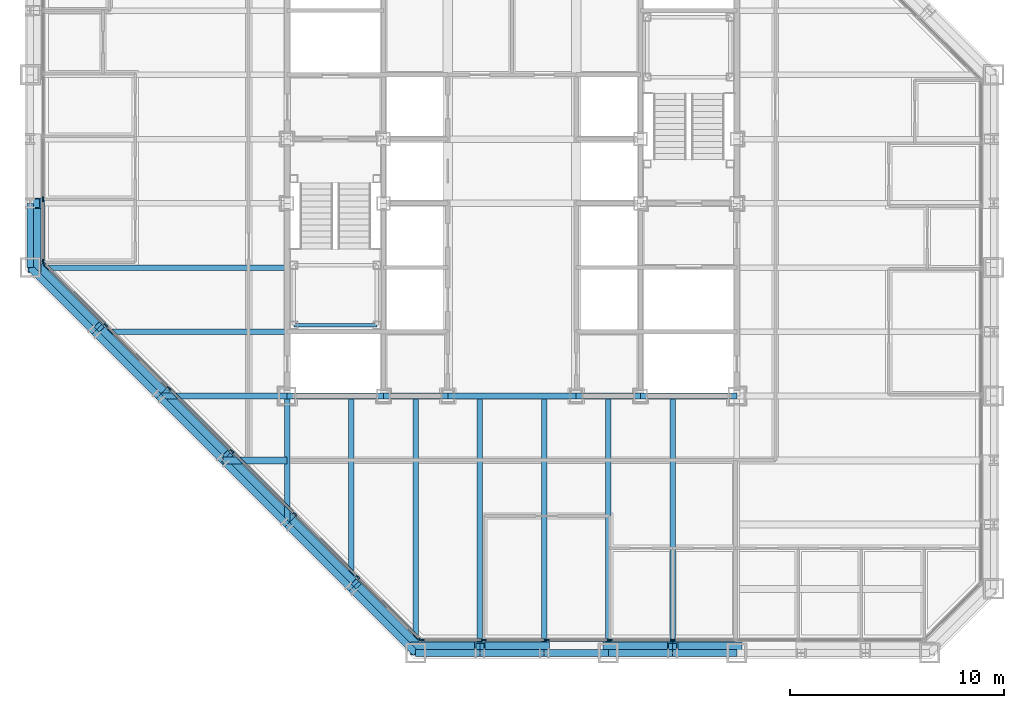
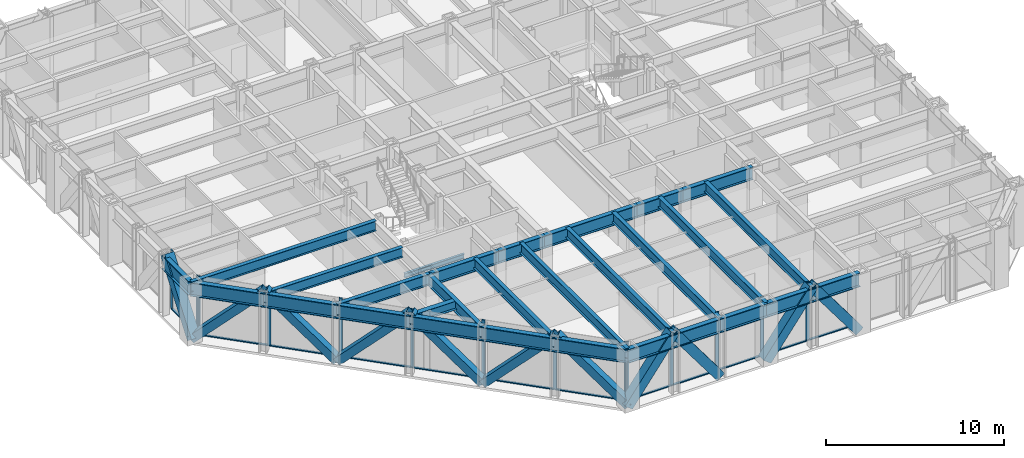
# One storey, part 4 of 16: 37 members, 29 beams, 3 elements without a shape of their own.
"""IFC4 building model written with IfcOpenShell, lengths in metres."""

from ifc_helpers import new_model, si_unit, direction, frame, origin, origin_2d, place, context, subcontext, project, spatial, rectangle, hollow_rectangle, i_section, extrude, material, layer, layer_set, material_profile, profile_set, type_object, element, aggregate, save


model = new_model("IFC4")

# Units and contexts
model_context = context("Model", 3, precision=1e-05, world=origin(), true_north=direction((0.0, 1.0)))
body_context = subcontext(model_context, "Body", "Model", "MODEL_VIEW")
ifc_project = project(units=[si_unit("LENGTHUNIT", "METRE"), si_unit("AREAUNIT", "SQUARE_METRE"), si_unit("VOLUMEUNIT", "CUBIC_METRE"), si_unit("PLANEANGLEUNIT", "RADIAN"), si_unit("MASSUNIT", "GRAM", prefix="KILO")], contexts=[model_context])

# Site, building, storey
site_placement = place(None, origin())
site = spatial("IfcSite", under=ifc_project, at=site_placement, CompositionType="ELEMENT")
building_placement = place(site_placement, origin())
building = spatial("IfcBuilding", under=site, at=building_placement, Name="Chuquiago Exchange Tower", CompositionType="ELEMENT")
storey_placement = place(building_placement, frame((0.0, 0.0, 153.0)))
storey = spatial("IfcBuildingStorey", under=building, at=storey_placement, Name="L33", CompositionType="ELEMENT", Elevation=153.0)

# Beams
ifc_material_1 = material(Name="Steel ASTM A992", Category="steel")
ifc_material_profile_1 = material_profile(ifc_material_1, i_section(OverallWidth=0.25390625, OverallDepth=0.683349609375, WebThickness=0.012451171875, FlangeThickness=0.018798828125, at=origin_2d()), Name="W27X94")
ifc_profile_set_1 = profile_set([ifc_material_profile_1], Name="Steel ASTM A992")
beam_type_1 = type_object("IfcBeamType", Name="B1 W27X94", PredefinedType="BEAM", material=ifc_profile_set_1)
beam_1_placement = place(storey_placement, frame((15.0, 12.0, 3.698486328125), z_axis=(0.0, -1.0, 0.0), x_axis=(1.0, 0.0, 0.0)))
element("IfcBeam", 1, at=beam_1_placement, inside=storey, type_object=beam_type_1, Name="FB-L34-infill-15_12-15_3-0", PredefinedType="BEAM", context=body_context, shape_type="SweptSolid", body=[
    extrude(i_section(OverallWidth=0.25390625, OverallDepth=0.683349609375, WebThickness=0.012451171875, FlangeThickness=0.018798828125, at=origin_2d()), origin(), (0.0, 0.0, 1.0), 9.0),
])
for number, where, z_axis, x_axis, name in (
    (2, (18.0, 12.0, 3.698486328125), (0.0, -1.0, 0.0), (1.0, 0.0, 0.0), "FB-L34-infill-18_12-18_-0-0"),
    (3, (21.0, 12.0, 3.698486328125), (0.0, -1.0, 0.0), (1.0, 0.0, 0.0), "FB-L34-infill-21_12-21_-0-0"),
    (4, (24.0, 12.0, 3.698486328125), (0.0, -1.0, 0.0), (1.0, 0.0, 0.0), "FB-L34-infill-24_12-24_-0-0"),
    (5, (27.0, 12.0, 3.698486328125), (0.0, -1.0, 0.0), (1.0, 0.0, 0.0), "FB-L34-infill-27_12-27_-0-0"),
    (6, (30.0, 12.0, 3.698486328125), (0.0, -1.0, 0.0), (1.0, 0.0, 0.0), "FB-L34-infill-30_12-30_-0-0"),
):
    element("IfcBeam", number, at=place(storey_placement, frame(where, z_axis=z_axis, x_axis=x_axis)), inside=storey, type_object=beam_type_1, Name=name, PredefinedType="BEAM", context=body_context, shape_type="SweptSolid", body=[
        extrude(i_section(OverallWidth=0.25390625, OverallDepth=0.683349609375, WebThickness=0.012451171875, FlangeThickness=0.018798828125, at=origin_2d()), origin(), (0.0, 0.0, 1.0), 12.0),
    ])
beam_2_placement = place(storey_placement, frame((12.0, 15.0, 3.698486328125), z_axis=(-1.0, 0.0, 0.0), x_axis=(0.0, -1.0, 0.0)))
element("IfcBeam", 7, at=beam_2_placement, inside=storey, type_object=beam_type_1, Name="FB-L34-infill-12_15-3_15-0", PredefinedType="BEAM", context=body_context, shape_type="SweptSolid", body=[
    extrude(i_section(OverallWidth=0.25390625, OverallDepth=0.683349609375, WebThickness=0.012451171875, FlangeThickness=0.018798828125, at=origin_2d()), origin(), (0.0, 0.0, 1.0), 9.0),
])
beam_3_placement = place(storey_placement, frame((12.0, 18.0, 3.698486328125), z_axis=(-1.0, 0.0, 0.0), x_axis=(0.0, -1.0, 0.0)))
element("IfcBeam", 8, at=beam_3_placement, inside=storey, type_object=beam_type_1, Name="FB-L34-infill-12_18--0_18-0", PredefinedType="BEAM", context=body_context, shape_type="SweptSolid", body=[
    extrude(i_section(OverallWidth=0.25390625, OverallDepth=0.683349609375, WebThickness=0.012451171875, FlangeThickness=0.018798828125, at=origin_2d()), origin(), (0.0, 0.0, 1.0), 12.0),
])
ifc_material_2 = material(Name="Steel ASTM A992", Category="steel")
ifc_material_profile_2 = material_profile(ifc_material_2, i_section(OverallWidth=0.3251953125, OverallDepth=0.612060546875, WebThickness=0.0126953125, FlangeThickness=0.01904296875, at=origin_2d()), Name="W24X104")
ifc_profile_set_2 = profile_set([ifc_material_profile_2], Name="Steel ASTM A992")
beam_type_2 = type_object("IfcBeamType", Name="B2 W24X104", PredefinedType="BEAM", material=ifc_profile_set_2)
beam_4_placement = place(storey_placement, frame((12.0, 9.0, 3.73388671875), z_axis=(-1.0, 0.0, 0.0), x_axis=(0.0, -1.0, 0.0)))
element("IfcBeam", 9, at=beam_4_placement, inside=storey, type_object=beam_type_2, Name="FB-L34-corner-12_9-9_9-0", PredefinedType="BEAM", context=body_context, shape_type="SweptSolid", body=[
    extrude(i_section(OverallWidth=0.3251953125, OverallDepth=0.612060546875, WebThickness=0.0126953125, FlangeThickness=0.01904296875, at=origin_2d()), origin(), (0.0, 0.0, 1.0), 3.0),
])
ifc_material_3 = material(Name="Steel ASTM A992", Category="steel")
ifc_material_profile_3 = material_profile(ifc_material_3, i_section(OverallWidth=0.2919921875, OverallDepth=0.8583984375, WebThickness=0.01708984375, FlangeThickness=0.031005859375, at=origin_2d()), Name="W33X169")
ifc_profile_set_3 = profile_set([ifc_material_profile_3], Name="Steel ASTM A992")
beam_type_3 = type_object("IfcBeamType", Name="B3 W33X169", PredefinedType="BEAM", material=ifc_profile_set_3)
beam_5_placement = place(storey_placement, frame((12.0, 12.0, 3.610595703125), z_axis=(1.0, 0.0, 0.0), x_axis=(0.0, 1.0, 0.0)))
element("IfcBeam", 10, at=beam_5_placement, inside=storey, type_object=beam_type_3, Name="CB-L34-12_12-16.5_12", PredefinedType="BEAM", context=body_context, shape_type="SweptSolid", body=[
    extrude(i_section(OverallWidth=0.2919921875, OverallDepth=0.8583984375, WebThickness=0.01708984375, FlangeThickness=0.031005859375, at=origin_2d()), origin(), (0.0, 0.0, 1.0), 4.5),
])
beam_6_placement = place(storey_placement, frame((16.5, 12.0, 3.610595703125), z_axis=(1.0, 0.0, 0.0), x_axis=(0.0, 1.0, 0.0)))
element("IfcBeam", 11, at=beam_6_placement, inside=storey, type_object=beam_type_3, Name="CB-L34-16.5_12-19.5_12", PredefinedType="BEAM", context=body_context, shape_type="SweptSolid", body=[
    extrude(i_section(OverallWidth=0.2919921875, OverallDepth=0.8583984375, WebThickness=0.01708984375, FlangeThickness=0.031005859375, at=origin_2d()), origin(), (0.0, 0.0, 1.0), 3.0),
])
beam_7_placement = place(storey_placement, frame((19.5, 12.0, 3.610595703125), z_axis=(1.0, 0.0, 0.0), x_axis=(0.0, 1.0, 0.0)))
element("IfcBeam", 12, at=beam_7_placement, inside=storey, type_object=beam_type_3, Name="CB-L34-19.5_12-25.5_12", PredefinedType="BEAM", context=body_context, shape_type="SweptSolid", body=[
    extrude(i_section(OverallWidth=0.2919921875, OverallDepth=0.8583984375, WebThickness=0.01708984375, FlangeThickness=0.031005859375, at=origin_2d()), origin(), (0.0, 0.0, 1.0), 6.0),
])
beam_8_placement = place(storey_placement, frame((25.5, 12.0, 3.610595703125), z_axis=(1.0, 0.0, 0.0), x_axis=(0.0, 1.0, 0.0)))
element("IfcBeam", 13, at=beam_8_placement, inside=storey, type_object=beam_type_3, Name="CB-L34-25.5_12-28.5_12", PredefinedType="BEAM", context=body_context, shape_type="SweptSolid", body=[
    extrude(i_section(OverallWidth=0.2919921875, OverallDepth=0.8583984375, WebThickness=0.01708984375, FlangeThickness=0.031005859375, at=origin_2d()), origin(), (0.0, 0.0, 1.0), 3.0),
])
beam_9_placement = place(storey_placement, frame((28.5, 12.0, 3.610595703125), z_axis=(1.0, 0.0, 0.0), x_axis=(0.0, 1.0, 0.0)))
element("IfcBeam", 14, at=beam_9_placement, inside=storey, type_object=beam_type_3, Name="CB-L34-28.5_12-33_12", PredefinedType="BEAM", context=body_context, shape_type="SweptSolid", body=[
    extrude(i_section(OverallWidth=0.2919921875, OverallDepth=0.8583984375, WebThickness=0.01708984375, FlangeThickness=0.031005859375, at=origin_2d()), origin(), (0.0, 0.0, 1.0), 4.5),
])

# Curtain wall, members
ifc_material_4 = material(Name="Aluminium curtain wall system", Category="aluminium")
ifc_layer_1 = layer(ifc_material_4, 0.22509765625)
ifc_layer_set_1 = layer_set([ifc_layer_1], Name="CW2 office curtain wall")
curtain_wall_type_1 = type_object("IfcCurtainWallType", Name="CW2 office curtain wall", PredefinedType="NOTDEFINED", material=ifc_layer_set_1)
curtain_wall_1_placement = place(storey_placement, origin())
curtain_wall_1 = element("IfcCurtainWall", 15, at=curtain_wall_1_placement, inside=storey, type_object=curtain_wall_type_1, Name="CW2 curtain wall L33", PredefinedType="NOTDEFINED")
ifc_material_5 = material(Name="Aluminium mullion, pale anodised", Category="aluminium")
ifc_material_profile_4 = material_profile(ifc_material_5, rectangle(XDim=0.06494140625, YDim=0.22509765625, at=origin_2d()), Name="AL 65x225")
ifc_profile_set_4 = profile_set([ifc_material_profile_4], Name="Aluminium mullion, pale anodised")
member_type_1 = type_object("IfcMemberType", Name="CW2-M mullion 65x225", PredefinedType="MULLION", material=ifc_profile_set_4)
member_1_placement = place(storey_placement, frame((18.281005859375, 0.60009765625, 0.0), z_axis=(0.0, 0.0, 1.0), x_axis=(0.0, 1.0, 0.0)))
member_1 = element("IfcMember", 16, at=member_1_placement, type_object=member_type_1, Name="CW2 mullion 1", PredefinedType="MULLION", context=body_context, shape_type="SweptSolid", body=[
    extrude(rectangle(XDim=0.06494140625, YDim=0.22509765625, at=origin_2d()), origin(), (0.0, 0.0, 1.0), 4.0400390625),
])
member_2_placement = place(storey_placement, frame((21.186279296875, 0.60009765625, 0.0), z_axis=(0.0, 0.0, 1.0), x_axis=(0.0, 1.0, 0.0)))
member_2 = element("IfcMember", 17, at=member_2_placement, type_object=member_type_1, Name="CW2 mullion 2", PredefinedType="MULLION", context=body_context, shape_type="SweptSolid", body=[
    extrude(rectangle(XDim=0.06494140625, YDim=0.22509765625, at=origin_2d()), origin(), (0.0, 0.0, 1.0), 4.0400390625),
])
member_3_placement = place(storey_placement, frame((24.124267578125, 0.60009765625, 0.0), z_axis=(0.0, 0.0, 1.0), x_axis=(0.0, 1.0, 0.0)))
member_3 = element("IfcMember", 18, at=member_3_placement, type_object=member_type_1, Name="CW2 mullion 3", PredefinedType="MULLION", context=body_context, shape_type="SweptSolid", body=[
    extrude(rectangle(XDim=0.06494140625, YDim=0.22509765625, at=origin_2d()), origin(), (0.0, 0.0, 1.0), 4.0400390625),
])
member_4_placement = place(storey_placement, frame((27.06201171875, 0.60009765625, 0.0), z_axis=(0.0, 0.0, 1.0), x_axis=(0.0, 1.0, 0.0)))
member_4 = element("IfcMember", 19, at=member_4_placement, type_object=member_type_1, Name="CW2 mullion 4", PredefinedType="MULLION", context=body_context, shape_type="SweptSolid", body=[
    extrude(rectangle(XDim=0.06494140625, YDim=0.22509765625, at=origin_2d()), origin(), (0.0, 0.0, 1.0), 4.0400390625),
])
member_5_placement = place(storey_placement, frame((30.0, 0.60009765625, 0.0), z_axis=(0.0, 0.0, 1.0), x_axis=(0.0, 1.0, 0.0)))
member_5 = element("IfcMember", 20, at=member_5_placement, type_object=member_type_1, Name="CW2 mullion 5", PredefinedType="MULLION", context=body_context, shape_type="SweptSolid", body=[
    extrude(rectangle(XDim=0.06494140625, YDim=0.22509765625, at=origin_2d()), origin(), (0.0, 0.0, 1.0), 4.0400390625),
])

curtain_wall_2_placement = place(storey_placement, origin())
curtain_wall_2 = element("IfcCurtainWall", 21, at=curtain_wall_2_placement, inside=storey, type_object=curtain_wall_type_1, Name="CW2 curtain wall L33", PredefinedType="NOTDEFINED")
member_6_placement = place(storey_placement, frame((0.60009765625, 21.186279296875, 0.0), z_axis=(0.0, 0.0, 1.0), x_axis=(1.0, 0.0, 0.0)))
member_6 = element("IfcMember", 22, at=member_6_placement, type_object=member_type_1, Name="CW2 mullion 8", PredefinedType="MULLION", context=body_context, shape_type="SweptSolid", body=[
    extrude(rectangle(XDim=0.06494140625, YDim=0.22509765625, at=origin_2d()), origin(), (0.0, 0.0, 1.0), 4.0400390625),
])
member_7_placement = place(storey_placement, frame((0.60009765625, 18.281005859375, 0.0), z_axis=(0.0, 0.0, 1.0), x_axis=(1.0, 0.0, 0.0)))
member_7 = element("IfcMember", 23, at=member_7_placement, type_object=member_type_1, Name="CW2 mullion 9", PredefinedType="MULLION", context=body_context, shape_type="SweptSolid", body=[
    extrude(rectangle(XDim=0.06494140625, YDim=0.22509765625, at=origin_2d()), origin(), (0.0, 0.0, 1.0), 4.0400390625),
])

# Member
ifc_material_6 = material(Name="Aluminium transom, pale anodised", Category="aluminium")
ifc_material_profile_5 = material_profile(ifc_material_6, rectangle(XDim=0.139892578125, YDim=0.06494140625, at=origin_2d()), Name="AL 140x65")
ifc_profile_set_5 = profile_set([ifc_material_profile_5], Name="Aluminium transom, pale anodised")
member_type_2 = type_object("IfcMemberType", Name="CW2-T transom 65x140", PredefinedType="MULLION", material=ifc_profile_set_5)
member_8_placement = place(storey_placement, frame((18.3134765625, 0.60009765625, 0.032470703125), z_axis=(1.0, 0.0, 0.0), x_axis=(0.0, 1.0, 0.0)))
member_8 = element("IfcMember", 24, at=member_8_placement, type_object=member_type_2, Name="CW2 transom 1.1", PredefinedType="MULLION", context=body_context, shape_type="SweptSolid", body=[
    extrude(rectangle(XDim=0.139892578125, YDim=0.06494140625, at=origin_2d()), origin(), (0.0, 0.0, 1.0), 2.84033203125),
])

member_9_placement = place(storey_placement, frame((21.218994140625, 0.60009765625, 0.032470703125), z_axis=(1.0, 0.0, 0.0), x_axis=(0.0, 1.0, 0.0)))
member_9 = element("IfcMember", 25, at=member_9_placement, type_object=member_type_2, Name="CW2 transom 2.1", PredefinedType="MULLION", context=body_context, shape_type="SweptSolid", body=[
    extrude(rectangle(XDim=0.139892578125, YDim=0.06494140625, at=origin_2d()), origin(), (0.0, 0.0, 1.0), 2.872802734375),
])

member_10_placement = place(storey_placement, frame((24.15673828125, 0.60009765625, 0.032470703125), z_axis=(1.0, 0.0, 0.0), x_axis=(0.0, 1.0, 0.0)))
member_10 = element("IfcMember", 26, at=member_10_placement, type_object=member_type_2, Name="CW2 transom 3.1", PredefinedType="MULLION", context=body_context, shape_type="SweptSolid", body=[
    extrude(rectangle(XDim=0.139892578125, YDim=0.06494140625, at=origin_2d()), origin(), (0.0, 0.0, 1.0), 2.872802734375),
])

member_11_placement = place(storey_placement, frame((27.0947265625, 0.60009765625, 0.032470703125), z_axis=(1.0, 0.0, 0.0), x_axis=(0.0, 1.0, 0.0)))
member_11 = element("IfcMember", 27, at=member_11_placement, type_object=member_type_2, Name="CW2 transom 4.1", PredefinedType="MULLION", context=body_context, shape_type="SweptSolid", body=[
    extrude(rectangle(XDim=0.139892578125, YDim=0.06494140625, at=origin_2d()), origin(), (0.0, 0.0, 1.0), 2.872802734375),
])

member_12_placement = place(storey_placement, frame((30.032470703125, 0.60009765625, 0.032470703125), z_axis=(1.0, 0.0, 0.0), x_axis=(0.0, 1.0, 0.0)))
member_12 = element("IfcMember", 28, at=member_12_placement, type_object=member_type_2, Name="CW2 transom 5.1", PredefinedType="MULLION", context=body_context, shape_type="SweptSolid", body=[
    extrude(rectangle(XDim=0.139892578125, YDim=0.06494140625, at=origin_2d()), origin(), (0.0, 0.0, 1.0), 2.872802734375),
])

aggregate(curtain_wall_1, [member_1, member_2, member_3, member_4, member_5, member_8, member_9, member_10, member_11, member_12])

member_13_placement = place(storey_placement, frame((0.60009765625, 21.15380859375, 0.032470703125), z_axis=(0.0, -1.0, 0.0), x_axis=(1.0, 0.0, 0.0)))
member_13 = element("IfcMember", 29, at=member_13_placement, type_object=member_type_2, Name="CW2 transom 8.1", PredefinedType="MULLION", context=body_context, shape_type="SweptSolid", body=[
    extrude(rectangle(XDim=0.139892578125, YDim=0.06494140625, at=origin_2d()), origin(), (0.0, 0.0, 1.0), 2.84033203125),
])

aggregate(curtain_wall_2, [member_6, member_7, member_13])

# Curtain wall, members
ifc_material_7 = material(Name="Aluminium curtain wall system", Category="aluminium")
ifc_layer_2 = layer(ifc_material_7, 0.199951171875)
ifc_layer_set_2 = layer_set([ifc_layer_2], Name="CW3 facet curtain wall")
curtain_wall_type_2 = type_object("IfcCurtainWallType", Name="CW3 facet curtain wall", PredefinedType="NOTDEFINED", material=ifc_layer_set_2)
curtain_wall_3_placement = place(storey_placement, origin())
curtain_wall_3 = element("IfcCurtainWall", 30, at=curtain_wall_3_placement, inside=storey, type_object=curtain_wall_type_2, Name="CW3 curtain wall L33", PredefinedType="NOTDEFINED")
ifc_material_8 = material(Name="Aluminium mullion, pale anodised", Category="aluminium")
ifc_material_profile_6 = material_profile(ifc_material_8, rectangle(XDim=0.06494140625, YDim=0.199951171875, at=origin_2d()), Name="AL 65x200")
ifc_profile_set_6 = profile_set([ifc_material_profile_6], Name="Aluminium mullion, pale anodised")
member_type_3 = type_object("IfcMemberType", Name="CW3-M mullion 65x200", PredefinedType="MULLION", material=ifc_profile_set_6)
member_14_placement = place(storey_placement, frame((0.623046875, 18.2255859375, 0.0), z_axis=(0.0, 0.0, 1.0), x_axis=(0.707106781187, 0.707106781187, 0.0)))
member_14 = element("IfcMember", 31, at=member_14_placement, type_object=member_type_3, Name="CW3 mullion 1", PredefinedType="MULLION", context=body_context, shape_type="SweptSolid", body=[
    extrude(rectangle(XDim=0.06494140625, YDim=0.199951171875, at=origin_2d()), origin(), (0.0, 0.0, 1.0), 4.0400390625),
])
member_15_placement = place(storey_placement, frame((3.54150390625, 15.30712890625, 0.0), z_axis=(0.0, 0.0, 1.0), x_axis=(0.707106781187, 0.707106781187, 0.0)))
member_15 = element("IfcMember", 32, at=member_15_placement, type_object=member_type_3, Name="CW3 mullion 2", PredefinedType="MULLION", context=body_context, shape_type="SweptSolid", body=[
    extrude(rectangle(XDim=0.06494140625, YDim=0.199951171875, at=origin_2d()), origin(), (0.0, 0.0, 1.0), 4.0400390625),
])
member_16_placement = place(storey_placement, frame((6.48291015625, 12.36572265625, 0.0), z_axis=(0.0, 0.0, 1.0), x_axis=(0.707106781187, 0.707106781187, 0.0)))
member_16 = element("IfcMember", 33, at=member_16_placement, type_object=member_type_3, Name="CW3 mullion 3", PredefinedType="MULLION", context=body_context, shape_type="SweptSolid", body=[
    extrude(rectangle(XDim=0.06494140625, YDim=0.199951171875, at=origin_2d()), origin(), (0.0, 0.0, 1.0), 4.0400390625),
])
member_17_placement = place(storey_placement, frame((9.42431640625, 9.42431640625, 0.0), z_axis=(0.0, 0.0, 1.0), x_axis=(0.707106781187, 0.707106781187, 0.0)))
member_17 = element("IfcMember", 34, at=member_17_placement, type_object=member_type_3, Name="CW3 mullion 4", PredefinedType="MULLION", context=body_context, shape_type="SweptSolid", body=[
    extrude(rectangle(XDim=0.06494140625, YDim=0.199951171875, at=origin_2d()), origin(), (0.0, 0.0, 1.0), 4.0400390625),
])
member_18_placement = place(storey_placement, frame((12.36572265625, 6.48291015625, 0.0), z_axis=(0.0, 0.0, 1.0), x_axis=(0.707106781187, 0.707106781187, 0.0)))
member_18 = element("IfcMember", 35, at=member_18_placement, type_object=member_type_3, Name="CW3 mullion 5", PredefinedType="MULLION", context=body_context, shape_type="SweptSolid", body=[
    extrude(rectangle(XDim=0.06494140625, YDim=0.199951171875, at=origin_2d()), origin(), (0.0, 0.0, 1.0), 4.0400390625),
])
member_19_placement = place(storey_placement, frame((15.30712890625, 3.54150390625, 0.0), z_axis=(0.0, 0.0, 1.0), x_axis=(0.707106781187, 0.707106781187, 0.0)))
member_19 = element("IfcMember", 36, at=member_19_placement, type_object=member_type_3, Name="CW3 mullion 6", PredefinedType="MULLION", context=body_context, shape_type="SweptSolid", body=[
    extrude(rectangle(XDim=0.06494140625, YDim=0.199951171875, at=origin_2d()), origin(), (0.0, 0.0, 1.0), 4.0400390625),
])
member_20_placement = place(storey_placement, frame((18.2255859375, 0.623046875, 0.0), z_axis=(0.0, 0.0, 1.0), x_axis=(0.707106781187, 0.707106781187, 0.0)))
member_20 = element("IfcMember", 37, at=member_20_placement, type_object=member_type_3, Name="CW3 mullion 7", PredefinedType="MULLION", context=body_context, shape_type="SweptSolid", body=[
    extrude(rectangle(XDim=0.06494140625, YDim=0.199951171875, at=origin_2d()), origin(), (0.0, 0.0, 1.0), 4.0400390625),
])
ifc_material_9 = material(Name="Aluminium transom, pale anodised", Category="aluminium")
ifc_material_profile_7 = material_profile(ifc_material_9, rectangle(XDim=0.139892578125, YDim=0.06494140625, at=origin_2d()), Name="AL 140x65")
ifc_profile_set_7 = profile_set([ifc_material_profile_7], Name="Aluminium transom, pale anodised")
member_type_4 = type_object("IfcMemberType", Name="CW3-T transom 65x140", PredefinedType="MULLION", material=ifc_profile_set_7)
member_21_placement = place(storey_placement, frame((0.64599609375, 18.20263671875, 0.032470703125), z_axis=(0.707106781187, -0.707106781187, 0.0), x_axis=(0.707106781187, 0.707106781187, 0.0)))
member_21 = element("IfcMember", 38, at=member_21_placement, type_object=member_type_4, Name="CW3 transom 1.1", PredefinedType="MULLION", context=body_context, shape_type="SweptSolid", body=[
    extrude(rectangle(XDim=0.139892578125, YDim=0.06494140625, at=origin_2d()), origin(), (0.0, 0.0, 1.0), 4.0625),
])
member_22_placement = place(storey_placement, frame((3.564453125, 15.2841796875, 0.032470703125), z_axis=(0.707106781187, -0.707106781187, 0.0), x_axis=(0.707106781187, 0.707106781187, 0.0)))
member_22 = element("IfcMember", 39, at=member_22_placement, type_object=member_type_4, Name="CW3 transom 2.1", PredefinedType="MULLION", context=body_context, shape_type="SweptSolid", body=[
    extrude(rectangle(XDim=0.139892578125, YDim=0.06494140625, at=origin_2d()), origin(), (0.0, 0.0, 1.0), 4.094970703125),
])
member_23_placement = place(storey_placement, frame((6.505859375, 12.3427734375, 0.032470703125), z_axis=(0.707106781187, -0.707106781187, 0.0), x_axis=(0.707106781187, 0.707106781187, 0.0)))
member_23 = element("IfcMember", 40, at=member_23_placement, type_object=member_type_4, Name="CW3 transom 3.1", PredefinedType="MULLION", context=body_context, shape_type="SweptSolid", body=[
    extrude(rectangle(XDim=0.139892578125, YDim=0.06494140625, at=origin_2d()), origin(), (0.0, 0.0, 1.0), 4.094970703125),
])
member_24_placement = place(storey_placement, frame((9.447265625, 9.4013671875, 0.032470703125), z_axis=(0.707106781187, -0.707106781187, 0.0), x_axis=(0.707106781187, 0.707106781187, 0.0)))
member_24 = element("IfcMember", 41, at=member_24_placement, type_object=member_type_4, Name="CW3 transom 4.1", PredefinedType="MULLION", context=body_context, shape_type="SweptSolid", body=[
    extrude(rectangle(XDim=0.139892578125, YDim=0.06494140625, at=origin_2d()), origin(), (0.0, 0.0, 1.0), 4.094970703125),
])
member_25_placement = place(storey_placement, frame((12.388671875, 6.4599609375, 0.032470703125), z_axis=(0.707106781187, -0.707106781187, 0.0), x_axis=(0.707106781187, 0.707106781187, 0.0)))
member_25 = element("IfcMember", 42, at=member_25_placement, type_object=member_type_4, Name="CW3 transom 5.1", PredefinedType="MULLION", context=body_context, shape_type="SweptSolid", body=[
    extrude(rectangle(XDim=0.139892578125, YDim=0.06494140625, at=origin_2d()), origin(), (0.0, 0.0, 1.0), 4.094970703125),
])
member_26_placement = place(storey_placement, frame((15.330078125, 3.5185546875, 0.032470703125), z_axis=(0.707106781187, -0.707106781187, 0.0), x_axis=(0.707106781187, 0.707106781187, 0.0)))
member_26 = element("IfcMember", 43, at=member_26_placement, type_object=member_type_4, Name="CW3 transom 6.1", PredefinedType="MULLION", context=body_context, shape_type="SweptSolid", body=[
    extrude(rectangle(XDim=0.139892578125, YDim=0.06494140625, at=origin_2d()), origin(), (0.0, 0.0, 1.0), 4.0625),
])
aggregate(curtain_wall_3, [member_14, member_15, member_16, member_17, member_18, member_19, member_20, member_21, member_22, member_23, member_24, member_25, member_26])

# Beams
ifc_material_10 = material(Name="Steel ASTM A992", Category="steel")
ifc_material_profile_8 = material_profile(ifc_material_10, i_section(OverallWidth=0.2666015625, OverallDepth=0.76953125, WebThickness=0.015625, FlangeThickness=0.025390625, at=origin_2d()), Name="W30X132")
ifc_profile_set_8 = profile_set([ifc_material_profile_8], Name="Steel ASTM A992")
beam_type_4 = type_object("IfcBeamType", Name="G1 W30X132", PredefinedType="BEAM", material=ifc_profile_set_8)
for number, where, z_axis, x_axis, name in (
    (44, (12.0, 12.0, 3.6552734375), (0.0, -1.0, 0.0), (1.0, 0.0, 0.0), "FB-L34-girder-12_12-12_6-0"),
    (45, (12.0, 12.0, 3.6552734375), (-1.0, 0.0, 0.0), (0.0, -1.0, 0.0), "FB-L34-girder-12_12-6_12-0"),
):
    element("IfcBeam", number, at=place(storey_placement, frame(where, z_axis=z_axis, x_axis=x_axis)), inside=storey, type_object=beam_type_4, Name=name, PredefinedType="BEAM", context=body_context, shape_type="SweptSolid", body=[
        extrude(i_section(OverallWidth=0.2666015625, OverallDepth=0.76953125, WebThickness=0.015625, FlangeThickness=0.025390625, at=origin_2d()), origin(), (0.0, 0.0, 1.0), 6.0),
    ])

# Members
ifc_material_11 = material(Name="Steel ASTM A500 Grade C", Category="steel")
ifc_material_profile_9 = material_profile(ifc_material_11, hollow_rectangle(XDim=0.508056640625, YDim=0.508056640625, WallThickness=0.017822265625, at=origin_2d()), Name="HSS20X20X3/4")
ifc_profile_set_9 = profile_set([ifc_material_profile_9], Name="Steel ASTM A500 Grade C")
member_type_5 = type_object("IfcMemberType", Name="LB1 HSS20X20X3/4", PredefinedType="BRACE", material=ifc_profile_set_9)
for number, where, z_axis, x_axis, name in (
    (46, (0.177490234375, 18.177490234375, 0.0), (0.512077265487, -0.512077265487, 0.689604051861), (0.707106781187, 0.707106781187, 0.0), "LB-L33-0_18-3_15"),
    (47, (6.177490234375, 12.177490234375, 0.0), (-0.512077265487, 0.512077265487, 0.689604051861), (-0.707106781187, -0.707106781187, 0.0), "LB-L33-3_15-6_12"),
    (48, (6.177490234375, 12.177490234375, 0.0), (0.512077265487, -0.512077265487, 0.689604051861), (0.707106781187, 0.707106781187, 0.0), "LB-L33-6_12-9_9"),
    (49, (12.177490234375, 6.177490234375, 0.0), (-0.512077265487, 0.512077265487, 0.689604051861), (-0.707106781187, -0.707106781187, 0.0), "LB-L33-9_9-12_6"),
    (50, (12.177490234375, 6.177490234375, 0.0), (0.512077265487, -0.512077265487, 0.689604051861), (0.707106781187, 0.707106781187, 0.0), "LB-L33-12_6-15_3"),
    (51, (18.177490234375, 0.177490234375, 0.0), (-0.512077265487, 0.512077265487, 0.689604051861), (-0.707106781187, -0.707106781187, 0.0), "LB-L33-15_3-18_0"),
):
    element("IfcMember", number, at=place(storey_placement, frame(where, z_axis=z_axis, x_axis=x_axis)), inside=storey, type_object=member_type_5, Name=name, PredefinedType="BRACE", context=body_context, shape_type="SweptSolid", body=[
        extrude(hollow_rectangle(XDim=0.508056640625, YDim=0.508056640625, WallThickness=0.017822265625, at=origin_2d()), origin(), (0.0, 0.0, 1.0), 5.8583984375),
    ])

# Beam
ifc_material_12 = material(Name="Steel ASTM A992", Category="steel")
ifc_material_profile_10 = material_profile(ifc_material_12, i_section(OverallWidth=0.164794921875, OverallDepth=0.309814453125, WebThickness=0.005859375, FlangeThickness=0.009765625, at=origin_2d()), Name="W12X26")
ifc_profile_set_10 = profile_set([ifc_material_profile_10], Name="Steel ASTM A992")
beam_type_5 = type_object("IfcBeamType", Name="LT1 W12X26", PredefinedType="BEAM", material=ifc_profile_set_10)
beam_10_placement = place(storey_placement, frame((12.31005859375, 15.31005859375, 1.7451171875), z_axis=(1.0, 0.0, 0.0), x_axis=(0.0, 1.0, 0.0)))
element("IfcBeam", 52, at=beam_10_placement, inside=storey, type_object=beam_type_5, Name="Stair ST1 L33 landing 1 trimmer", PredefinedType="BEAM", context=body_context, shape_type="SweptSolid", body=[
    extrude(i_section(OverallWidth=0.164794921875, OverallDepth=0.309814453125, WebThickness=0.005859375, FlangeThickness=0.009765625, at=origin_2d()), origin(), (0.0, 0.0, 1.0), 3.8798828125),
])

# Members
ifc_material_13 = material(Name="Steel ASTM A572 Grade 50", Category="steel")
ifc_material_profile_11 = material_profile(ifc_material_13, hollow_rectangle(XDim=0.60009765625, YDim=0.60009765625, WallThickness=0.06005859375, at=origin_2d()), Name="BOX600X600X60")
ifc_profile_set_11 = profile_set([ifc_material_profile_11], Name="Steel ASTM A572 Grade 50")
member_type_6 = type_object("IfcMemberType", Name="MB2 BOX600X600X60", PredefinedType="BRACE", material=ifc_profile_set_11)
for number, where, z_axis, x_axis, name in (
    (53, (18.0, 0.205078125, 0.0), (0.596173923302, 0.0, 0.802855312728), (0.0, 1.0, 0.0), "Mega diagonal L33 S face"),
    (54, (24.0, 0.205078125, 0.0), (-0.596173923302, 0.0, 0.802855312728), (0.0, -1.0, 0.0), "Mega diagonal L33 S face"),
    (55, (27.0, 0.205078125, 0.0), (0.596173923302, 0.0, 0.802855312728), (0.0, 1.0, 0.0), "Mega diagonal L33 S face"),
    (56, (33.0, 0.205078125, 0.0), (-0.596173923302, 0.0, 0.802855312728), (0.0, -1.0, 0.0), "Mega diagonal L33 S face"),
    (57, (0.205078125, 18.0, 0.0), (0.0, 0.596173923302, 0.802855312728), (-1.0, 0.0, 0.0), "Mega diagonal L33 W face"),
):
    element("IfcMember", number, at=place(storey_placement, frame(where, z_axis=z_axis, x_axis=x_axis)), inside=storey, type_object=member_type_6, Name=name, PredefinedType="BRACE", context=body_context, shape_type="SweptSolid", body=[
        extrude(hollow_rectangle(XDim=0.60009765625, YDim=0.60009765625, WallThickness=0.06005859375, at=origin_2d()), origin(), (0.0, 0.0, 1.0), 5.031982421875),
    ])

# Beams
ifc_material_14 = material(Name="Steel ASTM A992", Category="steel")
ifc_material_profile_12 = material_profile(ifc_material_14, i_section(OverallWidth=0.309814453125, OverallDepth=0.949951171875, WebThickness=0.0244140625, FlangeThickness=0.0439453125, at=origin_2d()), Name="W36X256")
ifc_profile_set_12 = profile_set([ifc_material_profile_12], Name="Steel ASTM A992")
beam_type_6 = type_object("IfcBeamType", Name="SP2 W36X256", PredefinedType="SPANDREL", material=ifc_profile_set_12)
for number, where, z_axis, x_axis, name in (
    (58, (18.0, 0.0, 3.56494140625), (1.0, 0.0, 0.0), (0.0, 1.0, 0.0), "SPB-L34-18_0-21_0"),
    (59, (21.0, 0.0, 3.56494140625), (1.0, 0.0, 0.0), (0.0, 1.0, 0.0), "SPB-L34-21_0-24_0"),
    (60, (24.0, 0.0, 3.56494140625), (1.0, 0.0, 0.0), (0.0, 1.0, 0.0), "SPB-L34-24_0-27_0"),
    (61, (27.0, 0.0, 3.56494140625), (1.0, 0.0, 0.0), (0.0, 1.0, 0.0), "SPB-L34-27_0-30_0"),
    (62, (30.0, 0.0, 3.56494140625), (1.0, 0.0, 0.0), (0.0, 1.0, 0.0), "SPB-L34-30_0-33_0"),
    (63, (0.0, 21.0, 3.56494140625), (0.0, -1.0, 0.0), (1.0, 0.0, 0.0), "SPB-L34-0_21-0_18"),
):
    element("IfcBeam", number, at=place(storey_placement, frame(where, z_axis=z_axis, x_axis=x_axis)), inside=storey, type_object=beam_type_6, Name=name, PredefinedType="SPANDREL", context=body_context, shape_type="SweptSolid", body=[
        extrude(i_section(OverallWidth=0.309814453125, OverallDepth=0.949951171875, WebThickness=0.0244140625, FlangeThickness=0.0439453125, at=origin_2d()), origin(), (0.0, 0.0, 1.0), 3.0),
    ])
for number, where, z_axis, x_axis, name in (
    (64, (0.0, 18.0, 3.56494140625), (0.707106781187, -0.707106781187, 0.0), (0.707106781187, 0.707106781187, 0.0), "SPB-L34-0_18-3_15"),
    (65, (3.0, 15.0, 3.56494140625), (0.707106781187, -0.707106781187, 0.0), (0.707106781187, 0.707106781187, 0.0), "SPB-L34-3_15-6_12"),
    (66, (6.0, 12.0, 3.56494140625), (0.707106781187, -0.707106781187, 0.0), (0.707106781187, 0.707106781187, 0.0), "SPB-L34-6_12-9_9"),
    (67, (9.0, 9.0, 3.56494140625), (0.707106781187, -0.707106781187, 0.0), (0.707106781187, 0.707106781187, 0.0), "SPB-L34-9_9-12_6"),
    (68, (12.0, 6.0, 3.56494140625), (0.707106781187, -0.707106781187, 0.0), (0.707106781187, 0.707106781187, 0.0), "SPB-L34-12_6-15_3"),
    (69, (15.0, 3.0, 3.56494140625), (0.707106781187, -0.707106781187, 0.0), (0.707106781187, 0.707106781187, 0.0), "SPB-L34-15_3-18_0"),
):
    element("IfcBeam", number, at=place(storey_placement, frame(where, z_axis=z_axis, x_axis=x_axis)), inside=storey, type_object=beam_type_6, Name=name, PredefinedType="SPANDREL", context=body_context, shape_type="SweptSolid", body=[
        extrude(i_section(OverallWidth=0.309814453125, OverallDepth=0.949951171875, WebThickness=0.0244140625, FlangeThickness=0.0439453125, at=origin_2d()), origin(), (0.0, 0.0, 1.0), 4.24267578125),
    ])

save(model, "model.ifc")
